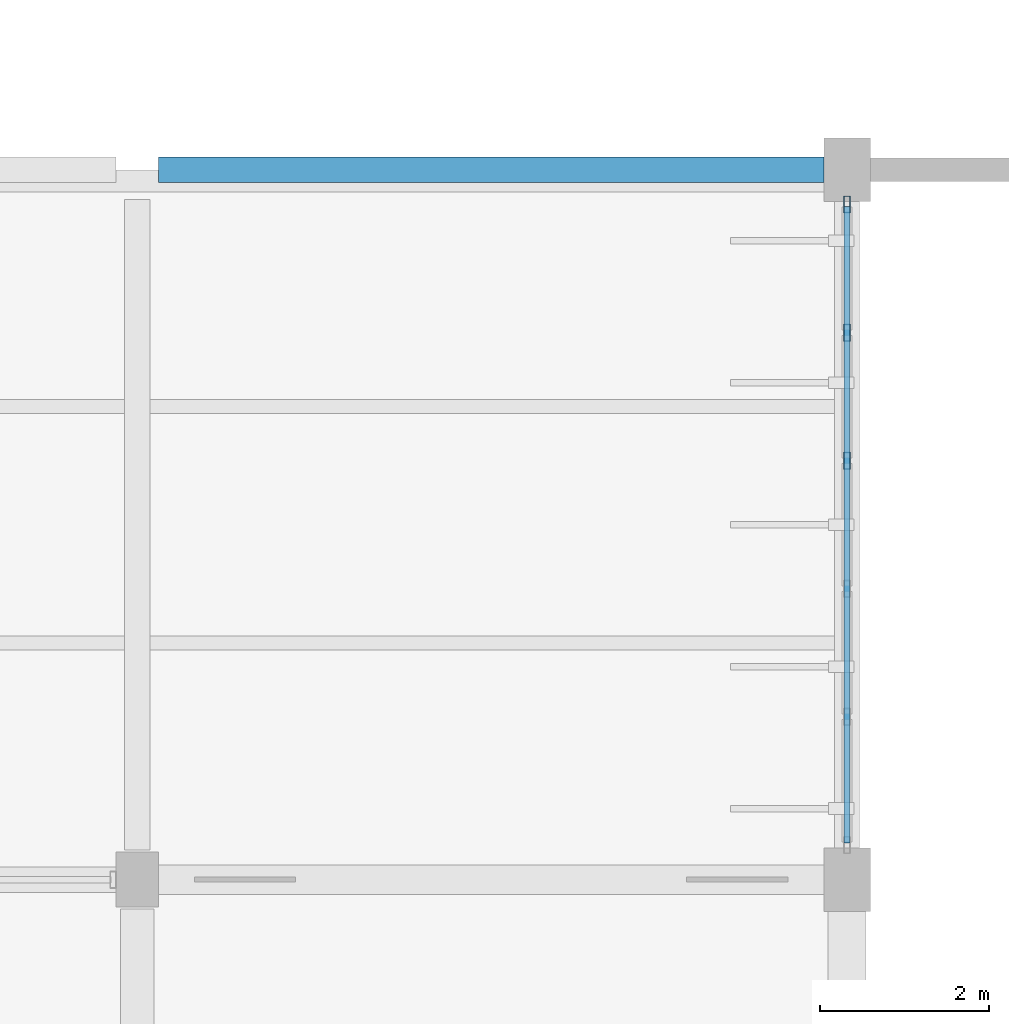
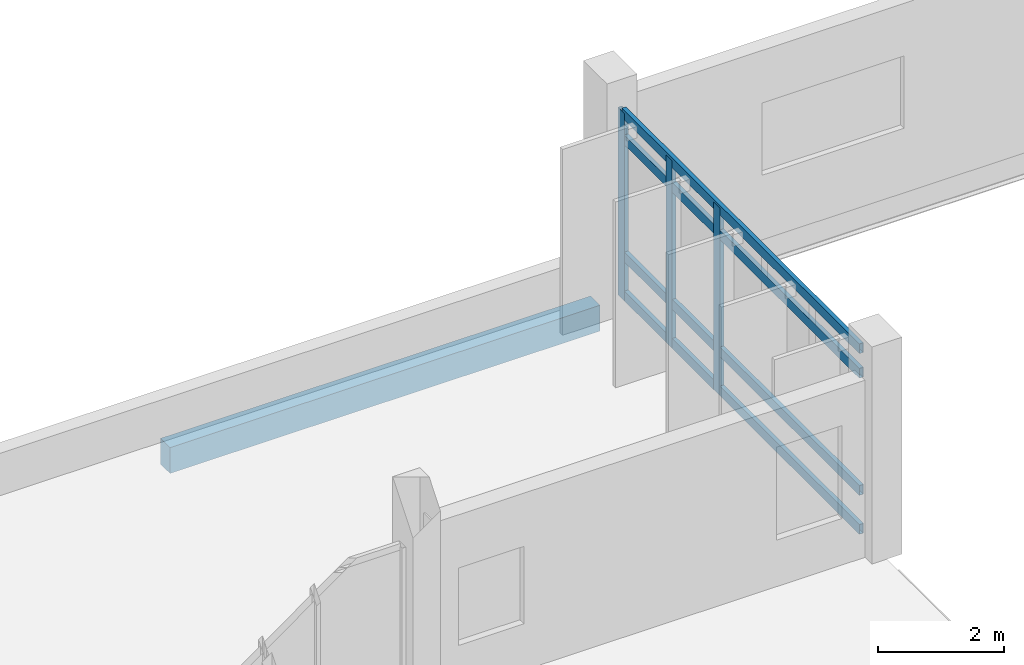
# One storey, part 70 of 101: 7 members, 1 beam, 1 element without a shape of its own.
"""IFC4 building model written with IfcOpenShell, lengths in metres."""

import ifcopenshell
import ifcopenshell.guid

model = None  # the IFC model being written
_history = None  # IfcOwnerHistory: only IFC2X3 demands one
_inside = {}  # id of a spatial element -> (the spatial element, [elements in it])
_under = {}  # id of a project, library or spatial element -> (it, [spatial elements below it])
_declared = {}  # id of a project -> (the project, [libraries it declares])
_typed = {}  # id of a type object -> (the type object, [elements of that type])
_made_of = {}  # id of a material, layer set ... -> (it, [elements and type objects made of it])


def new_model(schema):
    """Start an empty IFC model of exactly this schema.

    Asked for "IFC4X3", IfcOpenShell would pick the latest addendum, in which some entities
    have other attributes; the version numbers below select the first issue.
    IFC2X3 requires an IfcOwnerHistory on every rooted entity: one is made here for all.
    """
    global model, _history
    if schema == "IFC4X3":
        model = ifcopenshell.file(schema_version=(4, 3, 0, 0))
    else:
        model = ifcopenshell.file(schema=schema)
    _inside.clear()
    _under.clear()
    _declared.clear()
    _typed.clear()
    _made_of.clear()
    _history = None
    if model.schema == "IFC2X3":
        org = make("IfcOrganization", Name="unknown")
        user = make(
            "IfcPersonAndOrganization",
            ThePerson=make("IfcPerson", FamilyName="unknown"),
            TheOrganization=org,
        )
        app = make(
            "IfcApplication",
            ApplicationDeveloper=org,
            Version="unknown",
            ApplicationFullName="unknown",
            ApplicationIdentifier="unknown",
        )
        _history = make(
            "IfcOwnerHistory",
            OwningUser=user,
            OwningApplication=app,
            ChangeAction="ADDED",
            CreationDate=0,
        )
    return model


def make(cls, **values):
    """One entity of the class cls with the attributes given. An attribute that is None is left unset."""
    return model.create_entity(
        cls, **{name: value for name, value in values.items() if value is not None}
    )


def rooted(cls, **values):
    """An entity with a GlobalId (a new one), such as an element, a storey or a relation."""
    return make(cls, GlobalId=ifcopenshell.guid.new(), OwnerHistory=_history, **values)


def si_unit(unit_type, name, prefix=None):
    """IfcSIUnit, for example si_unit("LENGTHUNIT", "METRE", prefix="MILLI")."""
    return make("IfcSIUnit", UnitType=unit_type, Prefix=prefix, Name=name)


def assignment(units):
    """IfcUnitAssignment: the units of a project."""
    return None if units is None else make("IfcUnitAssignment", Units=units)


def point(xyz):
    """IfcCartesianPoint."""
    return None if xyz is None else make("IfcCartesianPoint", Coordinates=xyz)


def direction(xyz):
    """IfcDirection."""
    return None if xyz is None else make("IfcDirection", DirectionRatios=xyz)


def frame(location, z_axis=None, x_axis=None):
    """IfcAxis2Placement3D, a coordinate frame: its origin and axes. An axis left out is left unset."""
    return make(
        "IfcAxis2Placement3D",
        Location=point(location),
        Axis=direction(z_axis),
        RefDirection=direction(x_axis),
    )


def frame_2d(location, x_axis=None):
    """IfcAxis2Placement2D, a coordinate frame in the plane: its origin and x axis."""
    return make(
        "IfcAxis2Placement2D", Location=point(location), RefDirection=direction(x_axis)
    )


def origin():
    """The frame at (0, 0, 0) with its axes left unset."""
    return frame((0.0, 0.0, 0.0))


def origin_2d():
    """The frame at (0, 0) in the plane with its x axis left unset."""
    return frame_2d((0.0, 0.0))


def place(relative_to, where):
    """IfcLocalPlacement: puts the frame where relative to a parent placement (None: the world)."""
    return make(
        "IfcLocalPlacement", PlacementRelTo=relative_to, RelativePlacement=where
    )


def context(
    kind, dimensions, precision=None, world=None, true_north=None, identifier=None
):
    """IfcGeometricRepresentationContext, for example the 3D "Model" context."""
    return make(
        "IfcGeometricRepresentationContext",
        ContextIdentifier=identifier,
        ContextType=kind,
        CoordinateSpaceDimension=dimensions,
        Precision=precision,
        WorldCoordinateSystem=world,
        TrueNorth=true_north,
    )


def subcontext(parent, identifier, kind, view, scale=None):
    """IfcGeometricRepresentationSubContext, for example "Body" below "Model"."""
    return make(
        "IfcGeometricRepresentationSubContext",
        ContextIdentifier=identifier,
        ContextType=kind,
        ParentContext=parent,
        TargetScale=scale,
        TargetView=view,
    )


def project(units=None, contexts=None):
    """IfcProject with its units and contexts."""
    return rooted(
        "IfcProject",
        Name="project",
        RepresentationContexts=contexts,
        UnitsInContext=assignment(units),
    )


def spatial(cls, under=None, at=None, **own):
    """A site, building, storey or space (cls), placed at a placement, below another one or the project."""
    s = rooted(cls, ObjectPlacement=at, **own)
    if under is not None:
        _under.setdefault(under.id(), (under, []))[1].append(s)
    return s


def profile(cls, at=None, kind="AREA", **sizes):
    """A parametric profile (cls). Its sizes go by their IFC names, for example OverallWidth=200.0."""
    return make(cls, ProfileType=kind, Position=at, **sizes)


def rectangle(**sizes):
    """IfcRectangleProfileDef."""
    return profile("IfcRectangleProfileDef", **sizes)


def hollow_rectangle(**sizes):
    """IfcRectangleHollowProfileDef."""
    return profile("IfcRectangleHollowProfileDef", **sizes)


def extrude(swept, where, along, depth):
    """IfcExtrudedAreaSolid: the profile swept, set in the frame where, extruded along a direction by depth."""
    return make(
        "IfcExtrudedAreaSolid",
        SweptArea=swept,
        Position=where,
        ExtrudedDirection=direction(along),
        Depth=depth,
    )


def shape(context_of_items, identifier, shape_type, items):
    """IfcShapeRepresentation: the items that make up one representation, for example the "Body"."""
    return make(
        "IfcShapeRepresentation",
        ContextOfItems=context_of_items,
        RepresentationIdentifier=identifier,
        RepresentationType=shape_type,
        Items=items,
    )


def material(Name=None, Category=None):
    """IfcMaterial."""
    return make("IfcMaterial", Name=Name, Category=Category)


def layer(
    of_material, thickness, ventilated=None, Name=None, Category=None, Priority=None
):
    """IfcMaterialLayer: one layer of a wall or slab, of a material (None: an air gap)."""
    return make(
        "IfcMaterialLayer",
        Material=of_material,
        LayerThickness=thickness,
        IsVentilated=ventilated,
        Name=Name,
        Category=Category,
        Priority=Priority,
    )


def layer_set(layers, Name=None):
    """IfcMaterialLayerSet."""
    return make("IfcMaterialLayerSet", MaterialLayers=layers, LayerSetName=Name)


def material_profile(
    of_material, cross_section, Name=None, Category=None, Priority=None
):
    """IfcMaterialProfile: a cross section and its material."""
    return make(
        "IfcMaterialProfile",
        Name=Name,
        Material=of_material,
        Profile=cross_section,
        Priority=Priority,
        Category=Category,
    )


def profile_set(profiles, Name=None, composite=None):
    """IfcMaterialProfileSet."""
    return make(
        "IfcMaterialProfileSet",
        Name=Name,
        MaterialProfiles=profiles,
        CompositeProfile=composite,
    )


def made_of(thing, what):
    """Note that an element or type object is made of a material, layer set ...; save() writes the relation."""
    if what is not None:
        _made_of.setdefault(what.id(), (what, []))[1].append(thing)
    return thing


def type_object(cls, material=None, **own):
    """A type object (cls), such as IfcWallType, which elements share."""
    return made_of(rooted(cls, **own), material)


def element(
    cls,
    number,
    at=None,
    inside=None,
    cuts=None,
    type_object=None,
    material=None,
    context=None,
    identifier="Body",
    shape_type=None,
    held_by="IfcProductDefinitionShape",
    body=None,
    shapes=None,
    **own,
):
    """One element of the class cls, such as IfcWall. Its Tag is "e" and its number.

    at: its placement. inside: the storey or other place that contains it. cuts: it is an
    opening in that element (IfcRelVoidsElement). A single representation is given by context,
    identifier, shape_type and body (its items); several are given by shapes. held_by: the class
    of the entity that holds the representations. save() writes the other relations.
    """
    e = rooted(cls, Tag="e%d" % number, ObjectPlacement=at, **own)
    if body is not None:
        shapes = [shape(context, identifier, shape_type, body)]
    if shapes is not None:
        e.Representation = make(held_by, Representations=shapes)
    if inside is not None:
        _inside.setdefault(inside.id(), (inside, []))[1].append(e)
    if cuts is not None:
        rooted(
            "IfcRelVoidsElement", RelatingBuildingElement=cuts, RelatedOpeningElement=e
        )
    if type_object is not None:
        _typed.setdefault(type_object.id(), (type_object, []))[1].append(e)
    return made_of(e, material)


def aggregate(whole, parts):
    """IfcRelAggregates: a whole, such as a stair, and the parts it consists of."""
    return rooted("IfcRelAggregates", RelatingObject=whole, RelatedObjects=parts)


def save(model, path):
    """Write the relations noted so far, then the file.

    IfcRelAggregates (storeys below a building ...), IfcRelContainedInSpatialStructure (elements
    in a storey), IfcRelDefinesByType, IfcRelAssociatesMaterial and IfcRelDeclares: one each for
    every whole, place, type object, material and project.
    """
    for whole, parts in _under.values():
        aggregate(whole, parts)
    for where, things in _inside.values():
        rooted(
            "IfcRelContainedInSpatialStructure",
            RelatedElements=things,
            RelatingStructure=where,
        )
    for kind, things in _typed.values():
        rooted("IfcRelDefinesByType", RelatedObjects=things, RelatingType=kind)
    for what, things in _made_of.values():
        rooted("IfcRelAssociatesMaterial", RelatedObjects=things, RelatingMaterial=what)
    for by, libraries in _declared.values():
        rooted("IfcRelDeclares", RelatingContext=by, RelatedDefinitions=libraries)
    model.write(path)


model = new_model("IFC4")

# Units and contexts
model_context = context("Model", 3, precision=1e-05, world=origin(), true_north=direction((0.0, 1.0)))
body_context = subcontext(model_context, "Body", "Model", "MODEL_VIEW")
ifc_project = project(units=[si_unit("LENGTHUNIT", "METRE"), si_unit("AREAUNIT", "SQUARE_METRE"), si_unit("VOLUMEUNIT", "CUBIC_METRE"), si_unit("PLANEANGLEUNIT", "RADIAN"), si_unit("MASSUNIT", "GRAM", prefix="KILO")], contexts=[model_context])

# Site, building, storey
site_placement = place(None, origin())
site = spatial("IfcSite", under=ifc_project, at=site_placement, CompositionType="ELEMENT")
building_placement = place(site_placement, origin())
building = spatial("IfcBuilding", under=site, at=building_placement, Name="Vireocrest Preparatory School", CompositionType="ELEMENT")
storey_placement = place(building_placement, frame((0.0, 0.0, 4.800048828125)))
storey = spatial("IfcBuildingStorey", under=building, at=storey_placement, Name="L01", CompositionType="ELEMENT", Elevation=4.800048828125)

# Curtain wall, members
ifc_material_1 = material(Name="Thermally broken aluminium EN AW-6063-T6", Category="aluminium")
ifc_layer = layer(ifc_material_1, 0.179931640625)
ifc_layer_set = layer_set([ifc_layer], Name="Thermally broken aluminium EN AW-6063-T6")
curtain_wall_type = type_object("IfcCurtainWallType", Name="Teaching Fin Curtain Wall 8400x4200", PredefinedType="USERDEFINED", material=ifc_layer_set)
curtain_wall_placement = place(storey_placement, origin())
curtain_wall = element("IfcCurtainWall", 1, at=curtain_wall_placement, inside=storey, type_object=curtain_wall_type, Name="Curtain Wall CW03 CW_L01_CW03_1428_0442_048", ObjectType="CURTAIN WALL", PredefinedType="USERDEFINED")
ifc_material_profile_1 = material_profile(ifc_material_1, hollow_rectangle(XDim=0.074951171875, YDim=0.199951171875, WallThickness=0.0048828125, at=origin_2d()), Name="ALU 75x200x5")
ifc_profile_set_1 = profile_set([ifc_material_profile_1], Name="Thermally broken aluminium EN AW-6063-T6")
member_type_1 = type_object("IfcMemberType", Name="CW Mullion 75x200x5", PredefinedType="MULLION", material=ifc_profile_set_1)
member_1_placement = place(storey_placement, frame((142.800048828125, 48.758056640625, 0.0), z_axis=(0.0, 0.0, 1.0), x_axis=(1.0, 0.0, 0.0)))
member_1 = element("IfcMember", 2, at=member_1_placement, type_object=member_type_1, Name="CW Mullion ML3 CW_L01_CW03_1428_0442_048-4", PredefinedType="MULLION", context=body_context, shape_type="SweptSolid", body=[
    extrude(hollow_rectangle(XDim=0.074951171875, YDim=0.199951171875, WallThickness=0.0048828125, at=origin_2d()), origin(), (0.0, 0.0, 1.0), 3.6318359375),
])
member_2_placement = place(storey_placement, frame((142.800048828125, 50.27392578125, 0.0), z_axis=(0.0, 0.0, 1.0), x_axis=(1.0, 0.0, 0.0)))
member_2 = element("IfcMember", 3, at=member_2_placement, type_object=member_type_1, Name="CW Mullion ML3 CW_L01_CW03_1428_0442_048-5", PredefinedType="MULLION", context=body_context, shape_type="SweptSolid", body=[
    extrude(hollow_rectangle(XDim=0.074951171875, YDim=0.199951171875, WallThickness=0.0048828125, at=origin_2d()), origin(), (0.0, 0.0, 1.0), 3.6318359375),
])
member_3_placement = place(storey_placement, frame((142.800048828125, 51.7900390625, 0.0), z_axis=(0.0, 0.0, 1.0), x_axis=(1.0, 0.0, 0.0)))
member_3 = element("IfcMember", 4, at=member_3_placement, type_object=member_type_1, Name="CW Mullion ML3 CW_L01_CW03_1428_0442_048-6", PredefinedType="MULLION", context=body_context, shape_type="SweptSolid", body=[
    extrude(hollow_rectangle(XDim=0.074951171875, YDim=0.199951171875, WallThickness=0.0048828125, at=origin_2d()), origin(), (0.0, 0.0, 1.0), 3.6318359375),
])
ifc_material_profile_2 = material_profile(ifc_material_1, hollow_rectangle(XDim=0.074951171875, YDim=0.18994140625, WallThickness=0.00390625, at=origin_2d()), Name="ALU 75x190x4")
ifc_profile_set_2 = profile_set([ifc_material_profile_2], Name="Thermally broken aluminium EN AW-6063-T6")
member_type_2 = type_object("IfcMemberType", Name="CW Transom 75x190x4", PredefinedType="USERDEFINED", material=ifc_profile_set_2)
member_4_placement = place(storey_placement, frame((142.800048828125, 44.235107421875, 0.094970703125), z_axis=(0.0, 1.0, 0.0), x_axis=(-1.0, 0.0, 0.0)))
member_4 = element("IfcMember", 5, at=member_4_placement, type_object=member_type_2, Name="CW Transom TR3 CW_L01_CW03_1428_0442_048-1", ObjectType="TRANSOM", PredefinedType="USERDEFINED", context=body_context, shape_type="SweptSolid", body=[
    extrude(hollow_rectangle(XDim=0.074951171875, YDim=0.18994140625, WallThickness=0.00390625, at=origin_2d()), origin(), (0.0, 0.0, 1.0), 7.52978515625),
])
member_5_placement = place(storey_placement, frame((142.800048828125, 44.235107421875, 0.849853515625), z_axis=(0.0, 1.0, 0.0), x_axis=(-1.0, 0.0, 0.0)))
member_5 = element("IfcMember", 6, at=member_5_placement, type_object=member_type_2, Name="CW Transom TR3 CW_L01_CW03_1428_0442_048-2", ObjectType="TRANSOM", PredefinedType="USERDEFINED", context=body_context, shape_type="SweptSolid", body=[
    extrude(hollow_rectangle(XDim=0.074951171875, YDim=0.18994140625, WallThickness=0.00390625, at=origin_2d()), origin(), (0.0, 0.0, 1.0), 7.52978515625),
])
member_6_placement = place(storey_placement, frame((142.800048828125, 44.235107421875, 3.116943359375), z_axis=(0.0, 1.0, 0.0), x_axis=(-1.0, 0.0, 0.0)))
member_6 = element("IfcMember", 7, at=member_6_placement, type_object=member_type_2, Name="CW Transom TR3 CW_L01_CW03_1428_0442_048-3", ObjectType="TRANSOM", PredefinedType="USERDEFINED", context=body_context, shape_type="SweptSolid", body=[
    extrude(hollow_rectangle(XDim=0.074951171875, YDim=0.18994140625, WallThickness=0.00390625, at=origin_2d()), origin(), (0.0, 0.0, 1.0), 7.52978515625),
])
member_7_placement = place(storey_placement, frame((142.800048828125, 44.235107421875, 3.592041015625), z_axis=(0.0, 1.0, 0.0), x_axis=(-1.0, 0.0, 0.0)))
member_7 = element("IfcMember", 8, at=member_7_placement, type_object=member_type_2, Name="CW Transom TR3 CW_L01_CW03_1428_0442_048-4", ObjectType="TRANSOM", PredefinedType="USERDEFINED", context=body_context, shape_type="SweptSolid", body=[
    extrude(hollow_rectangle(XDim=0.074951171875, YDim=0.18994140625, WallThickness=0.00390625, at=origin_2d()), origin(), (0.0, 0.0, 1.0), 7.52978515625),
])
aggregate(curtain_wall, [member_1, member_2, member_3, member_4, member_5, member_6, member_7])

# Beam
ifc_material_2 = material(Name="Concrete 40 MPa", Category="concrete")
ifc_material_profile_3 = material_profile(ifc_material_2, rectangle(XDim=0.300048828125, YDim=0.5, at=origin_2d()), Name="RC 300x500")
ifc_profile_set_3 = profile_set([ifc_material_profile_3], Name="Concrete 40 MPa")
beam_type = type_object("IfcBeamType", Name="RC Roof Edge Beam 300x500", PredefinedType="BEAM", material=ifc_profile_set_3)
beam_placement = place(storey_placement, frame((134.64990234375, 52.199951171875, -0.469970703125), z_axis=(1.0, 0.0, 0.0), x_axis=(0.0, 1.0, 0.0)))
element("IfcBeam", 9, at=beam_placement, inside=storey, type_object=beam_type, Name="Primary Girder B01 L01-0319", PredefinedType="BEAM", context=body_context, shape_type="SweptSolid", body=[
    extrude(rectangle(XDim=0.300048828125, YDim=0.5, at=origin_2d()), origin(), (0.0, 0.0, 1.0), 7.875),
])

save(model, "model.ifc")
